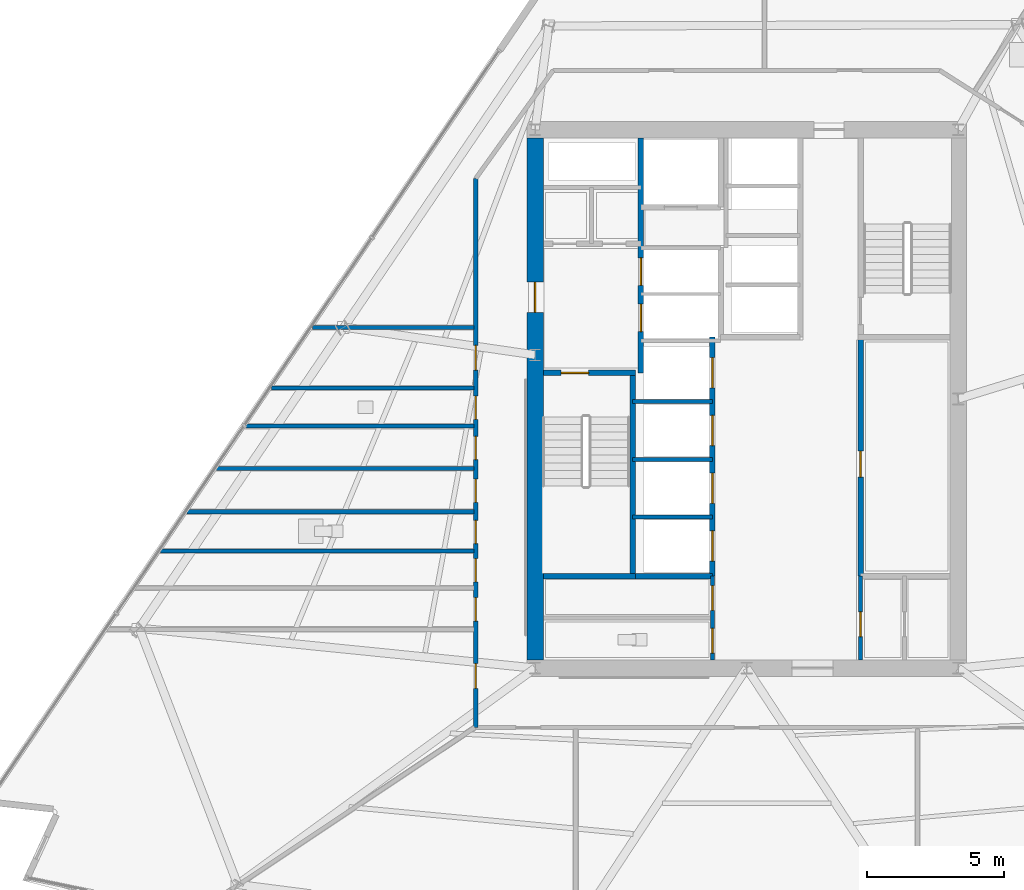
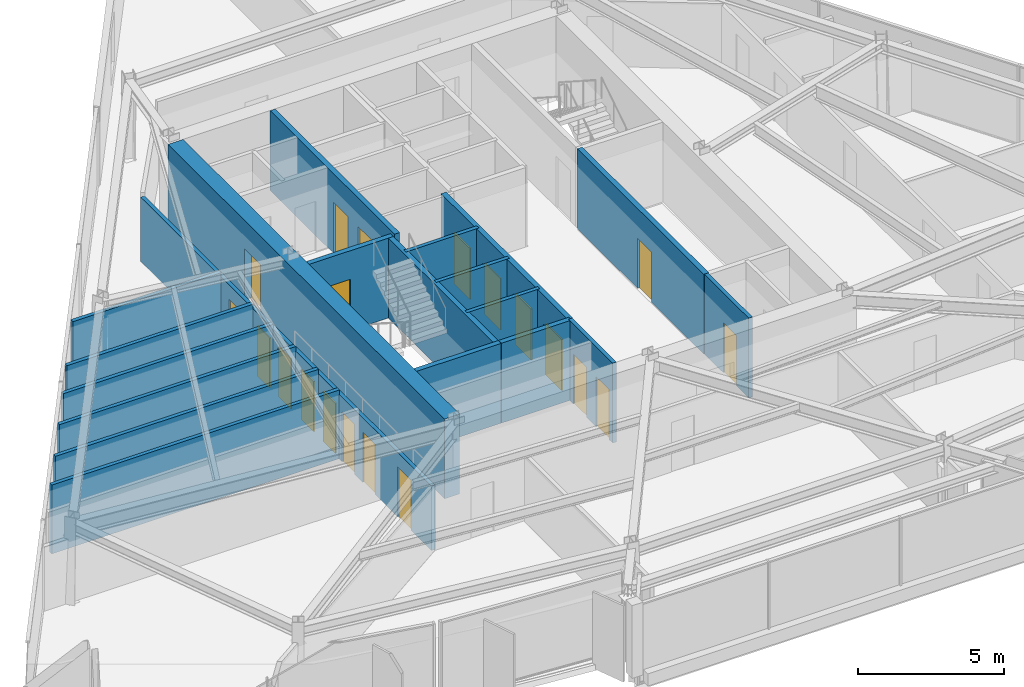
# One storey, part 8 of 15: 20 doors, 20 walls, 20 openings.
"""IFC4 building model written with IfcOpenShell, lengths in metres."""

from ifc_helpers import new_model, si_unit, direction, frame, frame_2d, origin, place, context, subcontext, project, spatial, rectangle, extrude, material, layer, layer_set, type_object, element, fill, save


model = new_model("IFC4")

# Units and contexts
model_context = context("Model", 3, precision=1e-05, world=origin(), true_north=direction((0.0, 1.0)))
body_context = subcontext(model_context, "Body", "Model", "MODEL_VIEW")
ifc_project = project(units=[si_unit("LENGTHUNIT", "METRE"), si_unit("AREAUNIT", "SQUARE_METRE"), si_unit("VOLUMEUNIT", "CUBIC_METRE"), si_unit("PLANEANGLEUNIT", "RADIAN"), si_unit("MASSUNIT", "GRAM", prefix="KILO")], contexts=[model_context])

# Site, building, storey
site_placement = place(None, origin())
site = spatial("IfcSite", under=ifc_project, at=site_placement, CompositionType="ELEMENT")
building_placement = place(site_placement, origin())
building = spatial("IfcBuilding", under=site, at=building_placement, Name="Savorim Split Tower", CompositionType="ELEMENT")
storey_placement = place(building_placement, frame((0.0, 0.0, 114.89990234375)))
storey = spatial("IfcBuildingStorey", under=building, at=storey_placement, Name="L30", CompositionType="ELEMENT", Elevation=114.89990234375)

# Wall, opening, door
ifc_material_1 = material(Name="Concrete C60/75", Category="concrete")
ifc_layer_1 = layer(ifc_material_1, 0.60009765625)
ifc_layer_set_1 = layer_set([ifc_layer_1], Name="WAL-COR-SH600")
wall_type_1 = type_object("IfcWallType", Name="WAL-COR-SH600", PredefinedType="SHEAR", material=ifc_layer_set_1)
wall_1_placement = place(storey_placement, frame((-7.699951171875, -9.10009765625, 0.0), z_axis=(0.0, 0.0, 1.0), x_axis=(0.0, 1.0, 0.0)))
wall_1 = element("IfcWall", 1, at=wall_1_placement, inside=storey, type_object=wall_type_1, Name="L30 Offset Core West Shear Wall", PredefinedType="SHEAR", context=body_context, shape_type="SweptSolid", body=[
    extrude(rectangle(XDim=19.0, YDim=0.60009765625, at=frame_2d((9.5, 0.0))), origin(), (0.0, 0.0, 1.0), 3.35009765625),
])
opening_1_placement = place(wall_1_placement, frame((12.64990234375, 0.0, 0.0)))
opening_1 = element("IfcOpeningElement", 2, at=opening_1_placement, cuts=wall_1, Name="Opening DI-03", PredefinedType="OPENING", context=body_context, shape_type="SweptSolid", body=[
    extrude(rectangle(XDim=1.10009765625, YDim=2.14990234375, at=frame_2d((0.550048828125, 1.074951171875))), frame((0.0, 0.31005859375, 0.0), z_axis=(0.0, -1.0, 0.0), x_axis=(1.0, 0.0, 0.0)), (0.0, 0.0, 1.0), 0.6201171875),
])
ifc_material_2 = material(Name="Timber Fire Door Leaf", Category="wood")
door_type_1 = type_object("IfcDoorType", Name="DOR-FIR-1100", OperationType="NOTDEFINED", PredefinedType="DOOR", material=ifc_material_2)
door_1_placement = place(opening_1_placement, origin())
door_1 = element("IfcDoor", 3, at=door_1_placement, inside=storey, type_object=door_type_1, Name="DOR-L30-COR-FFLOB - L30 Firefighting Lobby Corridor Door", OperationType="SINGLE_SWING_RIGHT", OverallHeight=2.14990234375, OverallWidth=1.10009765625, PredefinedType="DOOR", context=body_context, shape_type="SweptSolid", body=[
    extrude(rectangle(XDim=1.10009765625, YDim=2.14990234375, at=frame_2d((0.550048828125, 1.074951171875))), frame((0.0, 0.02490234375, 0.0), z_axis=(0.0, -1.0, 0.0), x_axis=(1.0, 0.0, 0.0)), (0.0, 0.0, 1.0), 0.050048828125),
])
fill(opening_1, door_1)

ifc_material_3 = material(Name="Concrete C50/60", Category="concrete")
ifc_layer_2 = layer(ifc_material_3, 0.199951171875)
ifc_layer_set_2 = layer_set([ifc_layer_2], Name="WAL-INT-RC200")
wall_type_2 = type_object("IfcWallType", Name="WAL-INT-RC200", PredefinedType="SOLIDWALL", material=ifc_layer_set_2)
wall_2_placement = place(storey_placement, frame((-7.39990234375, 1.35009765625, 0.0), z_axis=(0.0, 0.0, 1.0), x_axis=(1.0, 0.0, 0.0)))
wall_2 = element("IfcWall", 4, at=wall_2_placement, inside=storey, type_object=wall_type_2, Name="L30 Structural Shaft Wall W-L30-CR01", PredefinedType="SOLIDWALL", context=body_context, shape_type="SweptSolid", body=[
    extrude(rectangle(XDim=3.349853515625, YDim=0.199951171875, at=frame_2d((1.6748046875, 0.0))), origin(), (0.0, 0.0, 1.0), 3.35009765625),
])
opening_2_placement = place(wall_2_placement, frame((0.64990234375, 0.0, 0.0)))
opening_2 = element("IfcOpeningElement", 5, at=opening_2_placement, cuts=wall_2, Name="Opening DI-04", PredefinedType="OPENING", context=body_context, shape_type="SweptSolid", body=[
    extrude(rectangle(XDim=1.0, YDim=2.14990234375, at=frame_2d((0.5, 1.074951171875))), frame((0.0, 0.10986328125, 0.0), z_axis=(0.0, -1.0, 0.0), x_axis=(1.0, 0.0, 0.0)), (0.0, 0.0, 1.0), 0.219970703125),
])
door_type_2 = type_object("IfcDoorType", Name="DOR-FIR-1000", OperationType="NOTDEFINED", PredefinedType="DOOR", material=ifc_material_2)
door_2_placement = place(opening_2_placement, origin())
door_2 = element("IfcDoor", 6, at=door_2_placement, inside=storey, type_object=door_type_2, Name="DR-L30-ST1 - L30 Stair ST-1 Enclosure Door", OperationType="SINGLE_SWING_LEFT", OverallHeight=2.14990234375, OverallWidth=1.0, PredefinedType="DOOR", context=body_context, shape_type="SweptSolid", body=[
    extrude(rectangle(XDim=1.0, YDim=2.14990234375, at=frame_2d((0.5, 1.074951171875))), frame((0.0, 0.02490234375, 0.0), z_axis=(0.0, -1.0, 0.0), x_axis=(1.0, 0.0, 0.0)), (0.0, 0.0, 1.0), 0.050048828125),
])
fill(opening_2, door_2)

# Wall
wall_3_placement = place(storey_placement, frame((-4.14990234375, -5.949951171875, 0.0), z_axis=(0.0, 0.0, 1.0), x_axis=(0.0, 1.0, 0.0)))
element("IfcWall", 7, at=wall_3_placement, inside=storey, type_object=wall_type_2, Name="L30 Structural Shaft Wall W-L30-CR02", PredefinedType="SOLIDWALL", context=body_context, shape_type="SweptSolid", body=[
    extrude(rectangle(XDim=7.199951171875, YDim=0.199951171875, at=frame_2d((3.60009765625, 0.0))), origin(), (0.0, 0.0, 1.0), 3.35009765625),
])

# Wall, openings, doors
wall_4_placement = place(storey_placement, frame((-3.85009765625, 1.35009765625, 0.0), z_axis=(0.0, 0.0, 1.0), x_axis=(0.0, 1.0, 0.0)))
wall_4 = element("IfcWall", 8, at=wall_4_placement, inside=storey, type_object=wall_type_2, Name="L30 Partition W-L30-CR03", PredefinedType="SOLIDWALL", context=body_context, shape_type="SweptSolid", body=[
    extrude(rectangle(XDim=8.544921875, YDim=0.199951171875, at=frame_2d((4.2724609375, 0.0))), origin(), (0.0, 0.0, 1.0), 3.35009765625),
])
opening_3_placement = place(wall_4_placement, frame((1.5, 0.0, 0.0)))
opening_3 = element("IfcOpeningElement", 9, at=opening_3_placement, cuts=wall_4, Name="Opening LD-FFL", PredefinedType="OPENING", context=body_context, shape_type="SweptSolid", body=[
    extrude(rectangle(XDim=1.0, YDim=2.14990234375, at=frame_2d((0.5, 1.074951171875))), frame((0.0, 0.10986328125, 0.0), z_axis=(0.0, -1.0, 0.0), x_axis=(1.0, 0.0, 0.0)), (0.0, 0.0, 1.0), 0.219970703125),
])
opening_4_placement = place(wall_4_placement, frame((3.179931640625, 0.0, 0.0)))
opening_4 = element("IfcOpeningElement", 10, at=opening_4_placement, cuts=wall_4, Name="Opening LD-FFL", PredefinedType="OPENING", context=body_context, shape_type="SweptSolid", body=[
    extrude(rectangle(XDim=1.0, YDim=2.14990234375, at=frame_2d((0.5, 1.074951171875))), frame((0.0, 0.10986328125, 0.0), z_axis=(0.0, -1.0, 0.0), x_axis=(1.0, 0.0, 0.0)), (0.0, 0.0, 1.0), 0.219970703125),
])
ifc_material_4 = material(Name="Charcoal Anodised Aluminium", Category="aluminium")
door_type_3 = type_object("IfcDoorType", Name="DOR-SLD-LD1000", OperationType="NOTDEFINED", PredefinedType="DOOR", material=ifc_material_4)
door_3_placement = place(opening_3_placement, origin())
door_3 = element("IfcDoor", 11, at=door_3_placement, inside=storey, type_object=door_type_3, Name="DR-L30-LD-FFL1 - L30 Firefighting Lift FFL-1 Sliding Landing Door", OperationType="DOUBLE_DOOR_SLIDING", OverallHeight=2.14990234375, OverallWidth=1.0, PredefinedType="DOOR", context=body_context, shape_type="SweptSolid", body=[
    extrude(rectangle(XDim=1.0, YDim=2.14990234375, at=frame_2d((0.5, 1.074951171875))), frame((0.0, 0.02490234375, 0.0), z_axis=(0.0, -1.0, 0.0), x_axis=(1.0, 0.0, 0.0)), (0.0, 0.0, 1.0), 0.050048828125),
])
fill(opening_3, door_3)
door_4_placement = place(opening_4_placement, origin())
door_4 = element("IfcDoor", 12, at=door_4_placement, inside=storey, type_object=door_type_3, Name="DR-L30-LD-FFL2 - L30 Firefighting Lift FFL-2 Sliding Landing Door", OperationType="DOUBLE_DOOR_SLIDING", OverallHeight=2.14990234375, OverallWidth=1.0, PredefinedType="DOOR", context=body_context, shape_type="SweptSolid", body=[
    extrude(rectangle(XDim=1.0, YDim=2.14990234375, at=frame_2d((0.5, 1.074951171875))), frame((0.0, 0.02490234375, 0.0), z_axis=(0.0, -1.0, 0.0), x_axis=(1.0, 0.0, 0.0)), (0.0, 0.0, 1.0), 0.050048828125),
])
fill(opening_4, door_4)

# Wall, opening, door
wall_5_placement = place(storey_placement, frame((4.14990234375, -6.050048828125, 0.0), z_axis=(0.0, 0.0, 1.0), x_axis=(0.0, 1.0, 0.0)))
wall_5 = element("IfcWall", 13, at=wall_5_placement, inside=storey, type_object=wall_type_2, Name="L30 Partition W-L30-B1FRONT", PredefinedType="SOLIDWALL", context=body_context, shape_type="SweptSolid", body=[
    extrude(rectangle(XDim=8.699951171875, YDim=0.199951171875, at=frame_2d((4.35009765625, 0.0))), origin(), (0.0, 0.0, 1.0), 3.35009765625),
])
opening_5_placement = place(wall_5_placement, frame((3.60009765625, 0.0, 0.0)))
opening_5 = element("IfcOpeningElement", 14, at=opening_5_placement, cuts=wall_5, Name="Opening DI-05", PredefinedType="OPENING", context=body_context, shape_type="SweptSolid", body=[
    extrude(rectangle(XDim=0.949951171875, YDim=2.10009765625, at=frame_2d((0.47509765625, 1.050048828125))), frame((0.0, 0.10986328125, 0.0), z_axis=(0.0, -1.0, 0.0), x_axis=(1.0, 0.0, 0.0)), (0.0, 0.0, 1.0), 0.219970703125),
])
door_type_4 = type_object("IfcDoorType", Name="DOR-FIR-950", OperationType="NOTDEFINED", PredefinedType="DOOR", material=ifc_material_2)
door_5_placement = place(opening_5_placement, origin())
door_5 = element("IfcDoor", 15, at=door_5_placement, inside=storey, type_object=door_type_4, Name="DR-L30-LV7B1 - L30 Shared Pantry and Linen Room Door", OperationType="SINGLE_SWING_RIGHT", OverallHeight=2.10009765625, OverallWidth=0.949951171875, PredefinedType="DOOR", context=body_context, shape_type="SweptSolid", body=[
    extrude(rectangle(XDim=0.949951171875, YDim=2.10009765625, at=frame_2d((0.47509765625, 1.050048828125))), frame((0.0, 0.02490234375, 0.0), z_axis=(0.0, -1.0, 0.0), x_axis=(1.0, 0.0, 0.0)), (0.0, 0.0, 1.0), 0.050048828125),
])
fill(opening_5, door_5)

# Wall, openings, doors
wall_6_placement = place(storey_placement, frame((-1.25, -6.050048828125, 0.0), z_axis=(0.0, 0.0, 1.0), x_axis=(0.0, 1.0, 0.0)))
wall_6 = element("IfcWall", 16, at=wall_6_placement, inside=storey, type_object=wall_type_2, Name="L30 Partition W-L30-B2FRONT", PredefinedType="SOLIDWALL", context=body_context, shape_type="SweptSolid", body=[
    extrude(rectangle(XDim=8.699951171875, YDim=0.199951171875, at=frame_2d((4.35009765625, 0.0))), origin(), (0.0, 0.0, 1.0), 3.35009765625),
])
opening_6_placement = place(wall_6_placement, frame((0.550048828125, 0.0, 0.0)))
opening_6 = element("IfcOpeningElement", 17, at=opening_6_placement, cuts=wall_6, Name="Opening LD-02", PredefinedType="OPENING", context=body_context, shape_type="SweptSolid", body=[
    extrude(rectangle(XDim=1.10009765625, YDim=2.14990234375, at=frame_2d((0.550048828125, 1.074951171875))), frame((0.0, 0.10986328125, 0.0), z_axis=(0.0, -1.0, 0.0), x_axis=(1.0, 0.0, 0.0)), (0.0, 0.0, 1.0), 0.219970703125),
])
opening_7_placement = place(wall_6_placement, frame((2.64990234375, 0.0, 0.0)))
opening_7 = element("IfcOpeningElement", 18, at=opening_7_placement, cuts=wall_6, Name="Opening LD-02", PredefinedType="OPENING", context=body_context, shape_type="SweptSolid", body=[
    extrude(rectangle(XDim=1.10009765625, YDim=2.14990234375, at=frame_2d((0.550048828125, 1.074951171875))), frame((0.0, 0.10986328125, 0.0), z_axis=(0.0, -1.0, 0.0), x_axis=(1.0, 0.0, 0.0)), (0.0, 0.0, 1.0), 0.219970703125),
])
opening_8_placement = place(wall_6_placement, frame((4.75, 0.0, 0.0)))
opening_8 = element("IfcOpeningElement", 19, at=opening_8_placement, cuts=wall_6, Name="Opening LD-02", PredefinedType="OPENING", context=body_context, shape_type="SweptSolid", body=[
    extrude(rectangle(XDim=1.10009765625, YDim=2.14990234375, at=frame_2d((0.550048828125, 1.074951171875))), frame((0.0, 0.10986328125, 0.0), z_axis=(0.0, -1.0, 0.0), x_axis=(1.0, 0.0, 0.0)), (0.0, 0.0, 1.0), 0.219970703125),
])
opening_9_placement = place(wall_6_placement, frame((6.85009765625, 0.0, 0.0)))
opening_9 = element("IfcOpeningElement", 20, at=opening_9_placement, cuts=wall_6, Name="Opening LD-02", PredefinedType="OPENING", context=body_context, shape_type="SweptSolid", body=[
    extrude(rectangle(XDim=1.10009765625, YDim=2.14990234375, at=frame_2d((0.550048828125, 1.074951171875))), frame((0.0, 0.10986328125, 0.0), z_axis=(0.0, -1.0, 0.0), x_axis=(1.0, 0.0, 0.0)), (0.0, 0.0, 1.0), 0.219970703125),
])
door_type_5 = type_object("IfcDoorType", Name="DOR-SLD-LDM1100", OperationType="NOTDEFINED", PredefinedType="DOOR", material=ifc_material_4)
door_6_placement = place(opening_6_placement, origin())
door_6 = element("IfcDoor", 21, at=door_6_placement, inside=storey, type_object=door_type_5, Name="DR-L30-LD-PLM1 - L30 Lift PL-M1 Sliding Landing Door", OperationType="DOUBLE_DOOR_SLIDING", OverallHeight=2.14990234375, OverallWidth=1.10009765625, PredefinedType="DOOR", context=body_context, shape_type="SweptSolid", body=[
    extrude(rectangle(XDim=1.10009765625, YDim=2.14990234375, at=frame_2d((0.550048828125, 1.074951171875))), frame((0.0, 0.02490234375, 0.0), z_axis=(0.0, -1.0, 0.0), x_axis=(1.0, 0.0, 0.0)), (0.0, 0.0, 1.0), 0.050048828125),
])
fill(opening_6, door_6)
door_7_placement = place(opening_7_placement, origin())
door_7 = element("IfcDoor", 22, at=door_7_placement, inside=storey, type_object=door_type_5, Name="DR-L30-LD-PLM2 - L30 Lift PL-M2 Sliding Landing Door", OperationType="DOUBLE_DOOR_SLIDING", OverallHeight=2.14990234375, OverallWidth=1.10009765625, PredefinedType="DOOR", context=body_context, shape_type="SweptSolid", body=[
    extrude(rectangle(XDim=1.10009765625, YDim=2.14990234375, at=frame_2d((0.550048828125, 1.074951171875))), frame((0.0, 0.02490234375, 0.0), z_axis=(0.0, -1.0, 0.0), x_axis=(1.0, 0.0, 0.0)), (0.0, 0.0, 1.0), 0.050048828125),
])
fill(opening_7, door_7)
door_8_placement = place(opening_8_placement, origin())
door_8 = element("IfcDoor", 23, at=door_8_placement, inside=storey, type_object=door_type_5, Name="DR-L30-LD-PLM3 - L30 Lift PL-M3 Sliding Landing Door", OperationType="DOUBLE_DOOR_SLIDING", OverallHeight=2.14990234375, OverallWidth=1.10009765625, PredefinedType="DOOR", context=body_context, shape_type="SweptSolid", body=[
    extrude(rectangle(XDim=1.10009765625, YDim=2.14990234375, at=frame_2d((0.550048828125, 1.074951171875))), frame((0.0, 0.02490234375, 0.0), z_axis=(0.0, -1.0, 0.0), x_axis=(1.0, 0.0, 0.0)), (0.0, 0.0, 1.0), 0.050048828125),
])
fill(opening_8, door_8)
door_9_placement = place(opening_9_placement, origin())
door_9 = element("IfcDoor", 24, at=door_9_placement, inside=storey, type_object=door_type_5, Name="DR-L30-LD-PLM4 - L30 Lift PL-M4 Sliding Landing Door", OperationType="DOUBLE_DOOR_SLIDING", OverallHeight=2.14990234375, OverallWidth=1.10009765625, PredefinedType="DOOR", context=body_context, shape_type="SweptSolid", body=[
    extrude(rectangle(XDim=1.10009765625, YDim=2.14990234375, at=frame_2d((0.550048828125, 1.074951171875))), frame((0.0, 0.02490234375, 0.0), z_axis=(0.0, -1.0, 0.0), x_axis=(1.0, 0.0, 0.0)), (0.0, 0.0, 1.0), 0.050048828125),
])
fill(opening_9, door_9)

# Walls
wall_7_placement = place(storey_placement, frame((-7.39990234375, -6.050048828125, 0.0), z_axis=(0.0, 0.0, 1.0), x_axis=(1.0, 0.0, 0.0)))
element("IfcWall", 25, at=wall_7_placement, inside=storey, type_object=wall_type_2, Name="L30 Structural Shaft Wall W-L30-KSEP-W", PredefinedType="SOLIDWALL", context=body_context, shape_type="SweptSolid", body=[
    extrude(rectangle(XDim=3.349853515625, YDim=0.199951171875, at=frame_2d((1.6748046875, 0.0))), origin(), (0.0, 0.0, 1.0), 3.35009765625),
])
wall_8_placement = place(storey_placement, frame((-4.0400390625, -6.050048828125, 0.0), z_axis=(0.0, 0.0, 1.0), x_axis=(1.0, 0.0, 0.0)))
element("IfcWall", 26, at=wall_8_placement, inside=storey, type_object=wall_type_2, Name="L30 Partition W-L30-KSEP-W2", PredefinedType="SOLIDWALL", context=body_context, shape_type="SweptSolid", body=[
    extrude(rectangle(XDim=2.7900390625, YDim=0.199951171875, at=frame_2d((1.39501953125, 0.0))), origin(), (0.0, 0.0, 1.0), 3.35009765625),
])
ifc_material_5 = material(Name="Acoustic Gypsum Partition Board")
ifc_layer_3 = layer(ifc_material_5, 0.14990234375)
ifc_layer_set_3 = layer_set([ifc_layer_3], Name="WAL-PAR-150")
wall_type_3 = type_object("IfcWallType", Name="WAL-PAR-150", PredefinedType="PARTITIONING", material=ifc_layer_set_3)
for number, where, z_axis, x_axis, name in (
    (27, (-4.14990234375, -3.89990234375, 0.0), (0.0, 0.0, 1.0), (1.0, 0.0, 0.0), "L30 Partition W-L30-B2DIV1"),
    (28, (-4.14990234375, -1.800048828125, 0.0), (0.0, 0.0, 1.0), (1.0, 0.0, 0.0), "L30 Partition W-L30-B2DIV2"),
    (29, (-4.14990234375, 0.300048828125, 0.0), (0.0, 0.0, 1.0), (1.0, 0.0, 0.0), "L30 Partition W-L30-B2DIV3"),
):
    element("IfcWall", number, at=place(storey_placement, frame(where, z_axis=z_axis, x_axis=x_axis)), inside=storey, type_object=wall_type_3, Name=name, PredefinedType="PARTITIONING", context=body_context, shape_type="SweptSolid", body=[
        extrude(rectangle(XDim=2.89990234375, YDim=0.14990234375, at=frame_2d((1.449951171875, 0.0))), origin(), (0.0, 0.0, 1.0), 3.35009765625),
    ])

# Wall, openings, doors
wall_9_placement = place(storey_placement, frame((-1.25, -9.094970703125, 0.0), z_axis=(0.0, 0.0, 1.0), x_axis=(0.0, 1.0, 0.0)))
wall_9 = element("IfcWall", 30, at=wall_9_placement, inside=storey, type_object=wall_type_3, Name="L30 Partition W-L30-KLOB-W", PredefinedType="PARTITIONING", context=body_context, shape_type="SweptSolid", body=[
    extrude(rectangle(XDim=3.044921875, YDim=0.14990234375, at=frame_2d((1.5224609375, 0.0))), origin(), (0.0, 0.0, 1.0), 3.35009765625),
])
opening_10_placement = place(wall_9_placement, frame((1.794921875, 0.0, 0.0)))
opening_10 = element("IfcOpeningElement", 31, at=opening_10_placement, cuts=wall_9, Name="Opening DI-06", PredefinedType="OPENING", context=body_context, shape_type="SweptSolid", body=[
    extrude(rectangle(XDim=0.89990234375, YDim=2.10009765625, at=frame_2d((0.449951171875, 1.050048828125))), frame((0.0, 0.0849609375, 0.0), z_axis=(0.0, -1.0, 0.0), x_axis=(1.0, 0.0, 0.0)), (0.0, 0.0, 1.0), 0.169921875),
])
opening_11_placement = place(wall_9_placement, frame((0.2451171875, 0.0, 0.0)))
opening_11 = element("IfcOpeningElement", 32, at=opening_11_placement, cuts=wall_9, Name="Opening DI-11", PredefinedType="OPENING", context=body_context, shape_type="SweptSolid", body=[
    extrude(rectangle(XDim=0.89990234375, YDim=2.10009765625, at=frame_2d((0.449951171875, 1.050048828125))), frame((0.0, 0.0849609375, 0.0), z_axis=(0.0, -1.0, 0.0), x_axis=(1.0, 0.0, 0.0)), (0.0, 0.0, 1.0), 0.169921875),
])
door_type_6 = type_object("IfcDoorType", Name="DOR-FIR-900", OperationType="NOTDEFINED", PredefinedType="DOOR", material=ifc_material_2)
door_10_placement = place(opening_10_placement, origin())
door_10 = element("IfcDoor", 33, at=door_10_placement, inside=storey, type_object=door_type_6, Name="DR-L30-K2CLN - L30 Cleaning Store Door", OperationType="SINGLE_SWING_LEFT", OverallHeight=2.10009765625, OverallWidth=0.89990234375, PredefinedType="DOOR", context=body_context, shape_type="SweptSolid", body=[
    extrude(rectangle(XDim=0.89990234375, YDim=2.10009765625, at=frame_2d((0.449951171875, 1.050048828125))), frame((0.0, 0.02490234375, 0.0), z_axis=(0.0, -1.0, 0.0), x_axis=(1.0, 0.0, 0.0)), (0.0, 0.0, 1.0), 0.050048828125),
])
fill(opening_10, door_10)
ifc_material_6 = material(Name="Oak Veneer Acoustic Door")
door_type_7 = type_object("IfcDoorType", Name="DOR-WC-900", OperationType="NOTDEFINED", PredefinedType="DOOR", material=ifc_material_6)
door_11_placement = place(opening_11_placement, origin())
door_11 = element("IfcDoor", 34, at=door_11_placement, inside=storey, type_object=door_type_7, Name="DR-L30-K2WC - L30 Core WC Door", OperationType="SINGLE_SWING_RIGHT", OverallHeight=2.10009765625, OverallWidth=0.89990234375, PredefinedType="DOOR", context=body_context, shape_type="SweptSolid", body=[
    extrude(rectangle(XDim=0.89990234375, YDim=2.10009765625, at=frame_2d((0.449951171875, 1.050048828125))), frame((0.0, 0.02490234375, 0.0), z_axis=(0.0, -1.0, 0.0), x_axis=(1.0, 0.0, 0.0)), (0.0, 0.0, 1.0), 0.050048828125),
])
fill(opening_11, door_11)

# Wall, opening, door
wall_10_placement = place(storey_placement, frame((4.14990234375, -9.094970703125, 0.0), z_axis=(0.0, 0.0, 1.0), x_axis=(0.0, 1.0, 0.0)))
wall_10 = element("IfcWall", 35, at=wall_10_placement, inside=storey, type_object=wall_type_3, Name="L30 Partition W-L30-KLOB-E", PredefinedType="PARTITIONING", context=body_context, shape_type="SweptSolid", body=[
    extrude(rectangle(XDim=3.044921875, YDim=0.14990234375, at=frame_2d((1.5224609375, 0.0))), origin(), (0.0, 0.0, 1.0), 3.35009765625),
])
opening_12_placement = place(wall_10_placement, frame((0.844970703125, 0.0, 0.0)))
opening_12 = element("IfcOpeningElement", 36, at=opening_12_placement, cuts=wall_10, Name="Opening DI-06", PredefinedType="OPENING", context=body_context, shape_type="SweptSolid", body=[
    extrude(rectangle(XDim=0.89990234375, YDim=2.10009765625, at=frame_2d((0.449951171875, 1.050048828125))), frame((0.0, 0.0849609375, 0.0), z_axis=(0.0, -1.0, 0.0), x_axis=(1.0, 0.0, 0.0)), (0.0, 0.0, 1.0), 0.169921875),
])
door_12_placement = place(opening_12_placement, origin())
door_12 = element("IfcDoor", 37, at=door_12_placement, inside=storey, type_object=door_type_6, Name="DR-L30-K2PAN - L30 Vending Pantry Door", OperationType="SINGLE_SWING_LEFT", OverallHeight=2.10009765625, OverallWidth=0.89990234375, PredefinedType="DOOR", context=body_context, shape_type="SweptSolid", body=[
    extrude(rectangle(XDim=0.89990234375, YDim=2.10009765625, at=frame_2d((0.449951171875, 1.050048828125))), frame((0.0, 0.02490234375, 0.0), z_axis=(0.0, -1.0, 0.0), x_axis=(1.0, 0.0, 0.0)), (0.0, 0.0, 1.0), 0.050048828125),
])
fill(opening_12, door_12)

# Wall, openings, doors
wall_11_placement = place(storey_placement, frame((-9.860107421875, -11.56005859375, 0.0), z_axis=(0.0, 0.0, 1.0), x_axis=(0.0, 1.0, 0.0)))
wall_11 = element("IfcWall", 38, at=wall_11_placement, inside=storey, type_object=wall_type_3, Name="L30 Partition W-L30-COR-01", PredefinedType="PARTITIONING", context=body_context, shape_type="SweptSolid", body=[
    extrude(rectangle(XDim=19.98583984375, YDim=0.14990234375, at=frame_2d((9.992919921875, 0.0))), origin(), (0.0, 0.0, 1.0), 2.705078125),
])
opening_13_placement = place(wall_11_placement, frame((11.212890625, 0.0, 0.0)))
opening_13 = element("IfcOpeningElement", 39, at=opening_13_placement, cuts=wall_11, Name="Opening DI-13", PredefinedType="OPENING", context=body_context, shape_type="SweptSolid", body=[
    extrude(rectangle(XDim=0.85009765625, YDim=2.10009765625, at=frame_2d((0.425048828125, 1.050048828125))), frame((0.0, 0.0849609375, 0.0), z_axis=(0.0, -1.0, 0.0), x_axis=(1.0, 0.0, 0.0)), (0.0, 0.0, 1.0), 0.169921875),
])
opening_14_placement = place(wall_11_placement, frame((9.748779296875, 0.0, 0.0)))
opening_14 = element("IfcOpeningElement", 40, at=opening_14_placement, cuts=wall_11, Name="Opening DI-13", PredefinedType="OPENING", context=body_context, shape_type="SweptSolid", body=[
    extrude(rectangle(XDim=0.85009765625, YDim=2.10009765625, at=frame_2d((0.425048828125, 1.050048828125))), frame((0.0, 0.0849609375, 0.0), z_axis=(0.0, -1.0, 0.0), x_axis=(1.0, 0.0, 0.0)), (0.0, 0.0, 1.0), 0.169921875),
])
opening_15_placement = place(wall_11_placement, frame((8.191650390625, 0.0, 0.0)))
opening_15 = element("IfcOpeningElement", 41, at=opening_15_placement, cuts=wall_11, Name="Opening DI-13", PredefinedType="OPENING", context=body_context, shape_type="SweptSolid", body=[
    extrude(rectangle(XDim=0.85009765625, YDim=2.10009765625, at=frame_2d((0.425048828125, 1.050048828125))), frame((0.0, 0.0849609375, 0.0), z_axis=(0.0, -1.0, 0.0), x_axis=(1.0, 0.0, 0.0)), (0.0, 0.0, 1.0), 0.169921875),
])
opening_16_placement = place(wall_11_placement, frame((6.689697265625, 0.0, 0.0)))
opening_16 = element("IfcOpeningElement", 42, at=opening_16_placement, cuts=wall_11, Name="Opening DI-13", PredefinedType="OPENING", context=body_context, shape_type="SweptSolid", body=[
    extrude(rectangle(XDim=0.85009765625, YDim=2.10009765625, at=frame_2d((0.425048828125, 1.050048828125))), frame((0.0, 0.0849609375, 0.0), z_axis=(0.0, -1.0, 0.0), x_axis=(1.0, 0.0, 0.0)), (0.0, 0.0, 1.0), 0.169921875),
])
opening_17_placement = place(wall_11_placement, frame((5.2998046875, 0.0, 0.0)))
opening_17 = element("IfcOpeningElement", 43, at=opening_17_placement, cuts=wall_11, Name="Opening DI-13", PredefinedType="OPENING", context=body_context, shape_type="SweptSolid", body=[
    extrude(rectangle(XDim=0.85009765625, YDim=2.10009765625, at=frame_2d((0.425048828125, 1.050048828125))), frame((0.0, 0.0849609375, 0.0), z_axis=(0.0, -1.0, 0.0), x_axis=(1.0, 0.0, 0.0)), (0.0, 0.0, 1.0), 0.169921875),
])
opening_18_placement = place(wall_11_placement, frame((3.87353515625, 0.0, 0.0)))
opening_18 = element("IfcOpeningElement", 44, at=opening_18_placement, cuts=wall_11, Name="Opening DI-13", PredefinedType="OPENING", context=body_context, shape_type="SweptSolid", body=[
    extrude(rectangle(XDim=0.85009765625, YDim=2.10009765625, at=frame_2d((0.425048828125, 1.050048828125))), frame((0.0, 0.0849609375, 0.0), z_axis=(0.0, -1.0, 0.0), x_axis=(1.0, 0.0, 0.0)), (0.0, 0.0, 1.0), 0.169921875),
])
opening_19_placement = place(wall_11_placement, frame((1.426025390625, 0.0, 0.0)))
opening_19 = element("IfcOpeningElement", 45, at=opening_19_placement, cuts=wall_11, Name="Opening DI-06", PredefinedType="OPENING", context=body_context, shape_type="SweptSolid", body=[
    extrude(rectangle(XDim=0.89990234375, YDim=2.10009765625, at=frame_2d((0.449951171875, 1.050048828125))), frame((0.0, 0.0849609375, 0.0), z_axis=(0.0, -1.0, 0.0), x_axis=(1.0, 0.0, 0.0)), (0.0, 0.0, 1.0), 0.169921875),
])
opening_20_placement = place(wall_11_placement, frame((13.0068359375, 0.0, 0.0)))
opening_20 = element("IfcOpeningElement", 46, at=opening_20_placement, cuts=wall_11, Name="Opening DI-06", PredefinedType="OPENING", context=body_context, shape_type="SweptSolid", body=[
    extrude(rectangle(XDim=0.89990234375, YDim=2.10009765625, at=frame_2d((0.449951171875, 1.050048828125))), frame((0.0, 0.0849609375, 0.0), z_axis=(0.0, -1.0, 0.0), x_axis=(1.0, 0.0, 0.0)), (0.0, 0.0, 1.0), 0.169921875),
])
door_type_8 = type_object("IfcDoorType", Name="DOR-FIR-850", OperationType="NOTDEFINED", PredefinedType="DOOR", material=ifc_material_2)
door_13_placement = place(opening_13_placement, origin())
door_13 = element("IfcDoor", 47, at=door_13_placement, inside=storey, type_object=door_type_8, Name="DR-L30-RM01 - L30 Shared Kitchen Entry Door", OperationType="SINGLE_SWING_RIGHT", OverallHeight=2.10009765625, OverallWidth=0.85009765625, PredefinedType="DOOR", context=body_context, shape_type="SweptSolid", body=[
    extrude(rectangle(XDim=0.85009765625, YDim=2.10009765625, at=frame_2d((0.425048828125, 1.050048828125))), frame((0.0, 0.02490234375, 0.0), z_axis=(0.0, -1.0, 0.0), x_axis=(1.0, 0.0, 0.0)), (0.0, 0.0, 1.0), 0.050048828125),
])
fill(opening_13, door_13)
door_14_placement = place(opening_14_placement, origin())
door_14 = element("IfcDoor", 48, at=door_14_placement, inside=storey, type_object=door_type_8, Name="DR-L30-RM02 - L30 Maker Workshop Entry Door", OperationType="SINGLE_SWING_LEFT", OverallHeight=2.10009765625, OverallWidth=0.85009765625, PredefinedType="DOOR", context=body_context, shape_type="SweptSolid", body=[
    extrude(rectangle(XDim=0.85009765625, YDim=2.10009765625, at=frame_2d((0.425048828125, 1.050048828125))), frame((0.0, 0.02490234375, 0.0), z_axis=(0.0, -1.0, 0.0), x_axis=(1.0, 0.0, 0.0)), (0.0, 0.0, 1.0), 0.050048828125),
])
fill(opening_14, door_14)
door_15_placement = place(opening_15_placement, origin())
door_15 = element("IfcDoor", 49, at=door_15_placement, inside=storey, type_object=door_type_8, Name="DR-L30-RM03 - L30 Quiet Study Room Entry Door", OperationType="SINGLE_SWING_RIGHT", OverallHeight=2.10009765625, OverallWidth=0.85009765625, PredefinedType="DOOR", context=body_context, shape_type="SweptSolid", body=[
    extrude(rectangle(XDim=0.85009765625, YDim=2.10009765625, at=frame_2d((0.425048828125, 1.050048828125))), frame((0.0, 0.02490234375, 0.0), z_axis=(0.0, -1.0, 0.0), x_axis=(1.0, 0.0, 0.0)), (0.0, 0.0, 1.0), 0.050048828125),
])
fill(opening_15, door_15)
door_16_placement = place(opening_16_placement, origin())
door_16 = element("IfcDoor", 50, at=door_16_placement, inside=storey, type_object=door_type_8, Name="DR-L30-RM04 - L30 Shared Bathroom Entry Door", OperationType="SINGLE_SWING_LEFT", OverallHeight=2.10009765625, OverallWidth=0.85009765625, PredefinedType="DOOR", context=body_context, shape_type="SweptSolid", body=[
    extrude(rectangle(XDim=0.85009765625, YDim=2.10009765625, at=frame_2d((0.425048828125, 1.050048828125))), frame((0.0, 0.02490234375, 0.0), z_axis=(0.0, -1.0, 0.0), x_axis=(1.0, 0.0, 0.0)), (0.0, 0.0, 1.0), 0.050048828125),
])
fill(opening_16, door_16)
door_17_placement = place(opening_17_placement, origin())
door_17 = element("IfcDoor", 51, at=door_17_placement, inside=storey, type_object=door_type_8, Name="DR-L30-RM05 - L30 Maker Workshop Entry Door", OperationType="SINGLE_SWING_RIGHT", OverallHeight=2.10009765625, OverallWidth=0.85009765625, PredefinedType="DOOR", context=body_context, shape_type="SweptSolid", body=[
    extrude(rectangle(XDim=0.85009765625, YDim=2.10009765625, at=frame_2d((0.425048828125, 1.050048828125))), frame((0.0, 0.02490234375, 0.0), z_axis=(0.0, -1.0, 0.0), x_axis=(1.0, 0.0, 0.0)), (0.0, 0.0, 1.0), 0.050048828125),
])
fill(opening_17, door_17)
door_18_placement = place(opening_18_placement, origin())
door_18 = element("IfcDoor", 52, at=door_18_placement, inside=storey, type_object=door_type_8, Name="DR-L30-RM06 - L30 Quiet Study Room Entry Door", OperationType="SINGLE_SWING_LEFT", OverallHeight=2.10009765625, OverallWidth=0.85009765625, PredefinedType="DOOR", context=body_context, shape_type="SweptSolid", body=[
    extrude(rectangle(XDim=0.85009765625, YDim=2.10009765625, at=frame_2d((0.425048828125, 1.050048828125))), frame((0.0, 0.02490234375, 0.0), z_axis=(0.0, -1.0, 0.0), x_axis=(1.0, 0.0, 0.0)), (0.0, 0.0, 1.0), 0.050048828125),
])
fill(opening_18, door_18)
door_19_placement = place(opening_19_placement, origin())
door_19 = element("IfcDoor", 53, at=door_19_placement, inside=storey, type_object=door_type_6, Name="DR-L30-RM07 - L30 Maker Workshop Entry Door", OperationType="SINGLE_SWING_RIGHT", OverallHeight=2.10009765625, OverallWidth=0.89990234375, PredefinedType="DOOR", context=body_context, shape_type="SweptSolid", body=[
    extrude(rectangle(XDim=0.89990234375, YDim=2.10009765625, at=frame_2d((0.449951171875, 1.050048828125))), frame((0.0, 0.02490234375, 0.0), z_axis=(0.0, -1.0, 0.0), x_axis=(1.0, 0.0, 0.0)), (0.0, 0.0, 1.0), 0.050048828125),
])
fill(opening_19, door_19)
door_20_placement = place(opening_20_placement, origin())
door_20 = element("IfcDoor", 54, at=door_20_placement, inside=storey, type_object=door_type_6, Name="DR-L30-RM19 - L30 Maker Workshop Entry Door", OperationType="SINGLE_SWING_RIGHT", OverallHeight=2.10009765625, OverallWidth=0.89990234375, PredefinedType="DOOR", context=body_context, shape_type="SweptSolid", body=[
    extrude(rectangle(XDim=0.89990234375, YDim=2.10009765625, at=frame_2d((0.449951171875, 1.050048828125))), frame((0.0, 0.02490234375, 0.0), z_axis=(0.0, -1.0, 0.0), x_axis=(1.0, 0.0, 0.0)), (0.0, 0.0, 1.0), 0.050048828125),
])
fill(opening_20, door_20)

# Walls
wall_12_placement = place(storey_placement, frame((-9.919921875, 2.995361328125, 0.0), z_axis=(0.0, 0.0, 1.0), x_axis=(-1.0, 0.0, 0.0)))
element("IfcWall", 55, at=wall_12_placement, inside=storey, type_object=wall_type_3, Name="L30 Partition W-L30-PRAD09", PredefinedType="PARTITIONING", context=body_context, shape_type="SweptSolid", body=[
    extrude(rectangle(XDim=5.883056640625, YDim=0.14990234375, at=frame_2d((2.94140625, 0.0))), origin(), (0.0, 0.0, 1.0), 2.875),
])
wall_13_placement = place(storey_placement, frame((-9.919921875, -2.1298828125, 0.0), z_axis=(0.0, 0.0, 1.0), x_axis=(-1.0, 0.0, 0.0)))
element("IfcWall", 56, at=wall_13_placement, inside=storey, type_object=wall_type_3, Name="L30 Partition W-L30-SUB01", PredefinedType="PARTITIONING", context=body_context, shape_type="SweptSolid", body=[
    extrude(rectangle(XDim=9.36962890625, YDim=0.14990234375, at=frame_2d((4.684814453125, 0.0))), origin(), (0.0, 0.0, 1.0), 2.885009765625),
])
wall_14_placement = place(storey_placement, frame((-9.919921875, 0.79833984375, 0.0), z_axis=(0.0, 0.0, 1.0), x_axis=(-1.0, 0.0, 0.0)))
element("IfcWall", 57, at=wall_14_placement, inside=storey, type_object=wall_type_3, Name="L30 Partition W-L30-SUB03", PredefinedType="PARTITIONING", context=body_context, shape_type="SweptSolid", body=[
    extrude(rectangle(XDim=7.377685546875, YDim=0.14990234375, at=frame_2d((3.68896484375, 0.0))), origin(), (0.0, 0.0, 1.0), 2.885009765625),
])
wall_15_placement = place(storey_placement, frame((-9.919921875, -5.13330078125, 0.0), z_axis=(0.0, 0.0, 1.0), x_axis=(-1.0, 0.0, 0.0)))
element("IfcWall", 58, at=wall_15_placement, inside=storey, type_object=wall_type_3, Name="L30 Partition W-L30-SUB04", PredefinedType="PARTITIONING", context=body_context, shape_type="SweptSolid", body=[
    extrude(rectangle(XDim=11.4130859375, YDim=0.14990234375, at=frame_2d((5.70654296875, 0.0))), origin(), (0.0, 0.0, 1.0), 2.885009765625),
])
wall_16_placement = place(storey_placement, frame((-9.919921875, -0.592529296875, 0.0), z_axis=(0.0, 0.0, 1.0), x_axis=(-1.0, 0.0, 0.0)))
element("IfcWall", 59, at=wall_16_placement, inside=storey, type_object=wall_type_3, Name="L30 Partition W-L30-SUB08", PredefinedType="PARTITIONING", context=body_context, shape_type="SweptSolid", body=[
    extrude(rectangle(XDim=8.323974609375, YDim=0.14990234375, at=frame_2d((4.162109375, 0.0))), origin(), (0.0, 0.0, 1.0), 2.885009765625),
])
wall_17_placement = place(storey_placement, frame((-9.919921875, -3.70703125, 0.0), z_axis=(0.0, 0.0, 1.0), x_axis=(-1.0, 0.0, 0.0)))
element("IfcWall", 60, at=wall_17_placement, inside=storey, type_object=wall_type_3, Name="L30 Partition W-L30-SUB09", PredefinedType="PARTITIONING", context=body_context, shape_type="SweptSolid", body=[
    extrude(rectangle(XDim=10.442626953125, YDim=0.14990234375, at=frame_2d((5.22119140625, 0.0))), origin(), (0.0, 0.0, 1.0), 2.885009765625),
])

save(model, "model.ifc")
